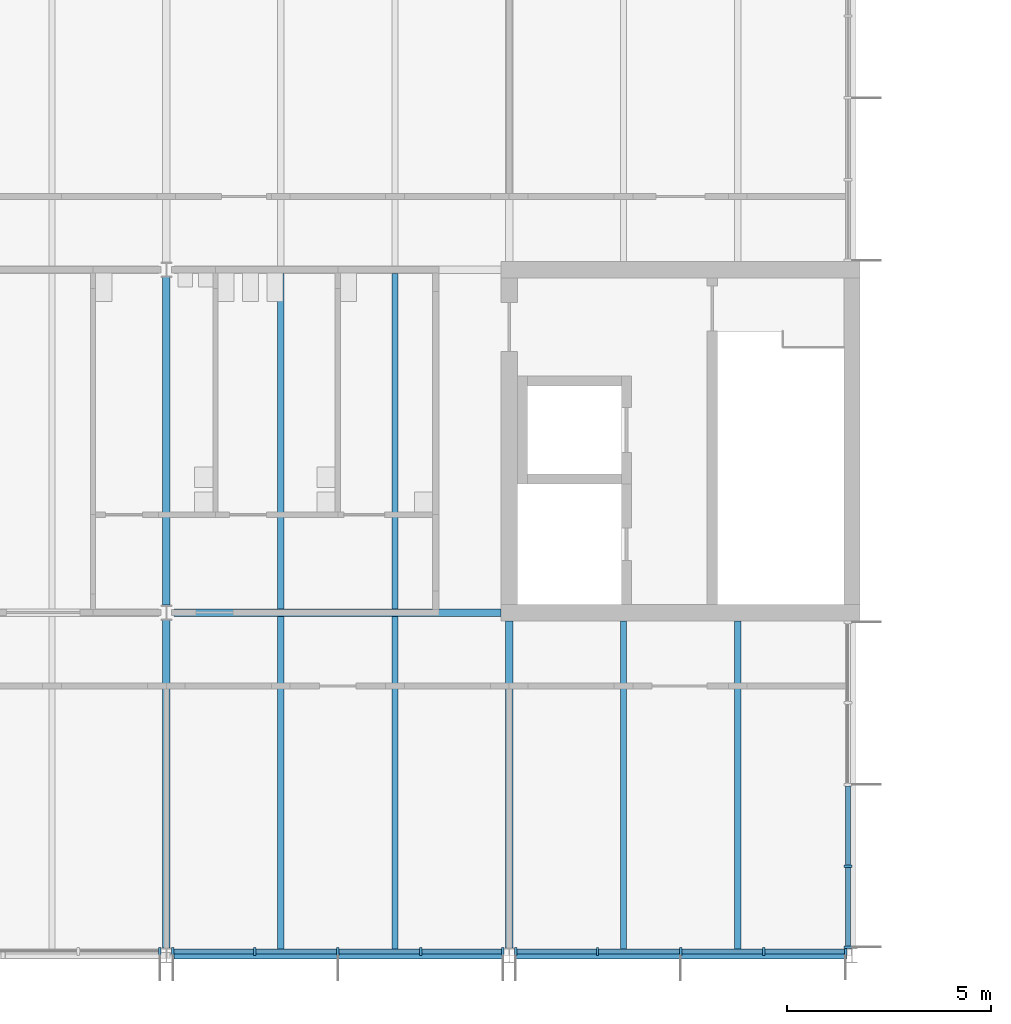
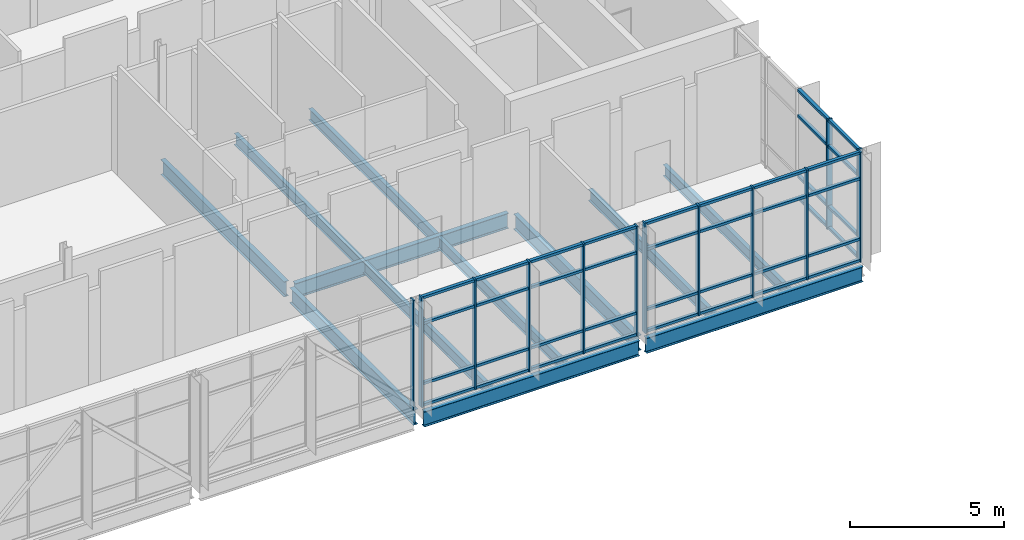
# One storey, part 14 of 72: 53 members, 12 beams, 4 elements without a shape of their own.
"""IFC4 building model written with IfcOpenShell, lengths in metres."""

from ifc_helpers import new_model, si_unit, direction, frame, origin, origin_2d, place, context, subcontext, project, spatial, rectangle, i_section, extrude, material, material_profile, profile_set, type_object, element, aggregate, save


model = new_model("IFC4")

# Units and contexts
model_context = context("Model", 3, precision=1e-05, world=origin(), true_north=direction((0.0, 1.0)))
body_context = subcontext(model_context, "Body", "Model", "MODEL_VIEW")
ifc_project = project(units=[si_unit("LENGTHUNIT", "METRE"), si_unit("AREAUNIT", "SQUARE_METRE"), si_unit("VOLUMEUNIT", "CUBIC_METRE"), si_unit("PLANEANGLEUNIT", "RADIAN"), si_unit("MASSUNIT", "GRAM", prefix="KILO")], contexts=[model_context])

# Site, building, storey
site_placement = place(None, origin())
site = spatial("IfcSite", under=ifc_project, at=site_placement, CompositionType="ELEMENT")
building_placement = place(site_placement, origin())
building = spatial("IfcBuilding", under=site, at=building_placement, Name="Hlaing Beacon Police Headquarters", CompositionType="ELEMENT")
storey_placement = place(building_placement, frame((0.0, 0.0, 14.39990234375)))
storey = spatial("IfcBuildingStorey", under=building, at=storey_placement, Name="L03", CompositionType="ELEMENT", Elevation=14.39990234375)

# Beams
ifc_material_1 = material(Name="Steel ASTM A992 Grade 50", Category="steel")
ifc_material_profile_1 = material_profile(ifc_material_1, i_section(OverallWidth=0.177978515625, OverallDepth=0.599365234375, WebThickness=0.010009765625, FlangeThickness=0.012939453125, FilletRadius=0.012939453125, at=origin_2d()), Name="W24x55")
ifc_profile_set_1 = profile_set([ifc_material_profile_1], Name="Steel ASTM A992 Grade 50")
beam_type_1 = type_object("IfcBeamType", Name="Girder W24x55", PredefinedType="BEAM", material=ifc_profile_set_1)
beam_1_placement = place(storey_placement, frame((42.18505859375, 8.39990234375, -0.4296875), z_axis=(1.0, 0.0, 0.0), x_axis=(0.0, 1.0, 0.0)))
element("IfcBeam", 1, at=beam_1_placement, inside=storey, type_object=beam_type_1, Name="STR-BM-L03-GX-F2-G2", PredefinedType="BEAM", context=body_context, shape_type="SweptSolid", body=[
    extrude(i_section(OverallWidth=0.177978515625, OverallDepth=0.599365234375, WebThickness=0.010009765625, FlangeThickness=0.012939453125, FilletRadius=0.012939453125, at=origin_2d()), origin(), (0.0, 0.0, 1.0), 8.0869140625),
])
beam_2_placement = place(storey_placement, frame((50.528076171875, 8.39990234375, -0.4296875), z_axis=(1.0, 0.0, 0.0), x_axis=(0.0, 1.0, 0.0)))
element("IfcBeam", 2, at=beam_2_placement, inside=storey, type_object=beam_type_1, Name="STR-BM-L03-GX-G2-H2", PredefinedType="BEAM", context=body_context, shape_type="SweptSolid", body=[
    extrude(i_section(OverallWidth=0.177978515625, OverallDepth=0.599365234375, WebThickness=0.010009765625, FlangeThickness=0.012939453125, FilletRadius=0.012939453125, at=origin_2d()), origin(), (0.0, 0.0, 1.0), 8.14501953125),
])
beam_3_placement = place(storey_placement, frame((42.18505859375, 16.800048828125, -0.4296875), z_axis=(1.0, 0.0, 0.0), x_axis=(0.0, 1.0, 0.0)))
element("IfcBeam", 3, at=beam_3_placement, inside=storey, type_object=beam_type_1, Name="STR-BM-L03-GX-F3-G3", PredefinedType="BEAM", context=body_context, shape_type="SweptSolid", body=[
    extrude(i_section(OverallWidth=0.177978515625, OverallDepth=0.599365234375, WebThickness=0.010009765625, FlangeThickness=0.012939453125, FilletRadius=0.012939453125, at=origin_2d()), origin(), (0.0, 0.0, 1.0), 8.014892578125),
])
beam_4_placement = place(storey_placement, frame((42.0, 8.580078125, -0.4296875), z_axis=(0.0, 1.0, 0.0), x_axis=(-1.0, 0.0, 0.0)))
element("IfcBeam", 4, at=beam_4_placement, inside=storey, type_object=beam_type_1, Name="STR-BM-L03-GY-F2-F3", PredefinedType="BEAM", context=body_context, shape_type="SweptSolid", body=[
    extrude(i_section(OverallWidth=0.177978515625, OverallDepth=0.599365234375, WebThickness=0.010009765625, FlangeThickness=0.012939453125, FilletRadius=0.012939453125, at=origin_2d()), origin(), (0.0, 0.0, 1.0), 8.037841796875),
])
beam_5_placement = place(storey_placement, frame((42.0, 16.98193359375, -0.4296875), z_axis=(0.0, 1.0, 0.0), x_axis=(-1.0, 0.0, 0.0)))
element("IfcBeam", 5, at=beam_5_placement, inside=storey, type_object=beam_type_1, Name="STR-BM-L03-GY-F3-F4", PredefinedType="BEAM", context=body_context, shape_type="SweptSolid", body=[
    extrude(i_section(OverallWidth=0.177978515625, OverallDepth=0.599365234375, WebThickness=0.010009765625, FlangeThickness=0.012939453125, FilletRadius=0.012939453125, at=origin_2d()), origin(), (0.0, 0.0, 1.0), 8.0361328125),
])
beam_6_placement = place(storey_placement, frame((50.39990234375, 8.580078125, -0.4296875), z_axis=(0.0, 1.0, 0.0), x_axis=(-1.0, 0.0, 0.0)))
element("IfcBeam", 6, at=beam_6_placement, inside=storey, type_object=beam_type_1, Name="STR-BM-L03-GY-G2-G3", PredefinedType="BEAM", context=body_context, shape_type="SweptSolid", body=[
    extrude(i_section(OverallWidth=0.177978515625, OverallDepth=0.599365234375, WebThickness=0.010009765625, FlangeThickness=0.012939453125, FilletRadius=0.012939453125, at=origin_2d()), origin(), (0.0, 0.0, 1.0), 8.02001953125),
])

# Curtain wall, members
ifc_material_2 = material(Name="Aluminium frame with solar control glazing", Category="aluminium")
curtain_wall_type_1 = type_object("IfcCurtainWallType", Name="Unitised curtain wall 8.02 x 4.37", PredefinedType="NOTDEFINED", material=ifc_material_2)
curtain_wall_1_placement = place(storey_placement, origin())
curtain_wall_1 = element("IfcCurtainWall", 7, at=curtain_wall_1_placement, inside=storey, type_object=curtain_wall_type_1, Name="ENV-CW-L03-E013", PredefinedType="NOTDEFINED")
ifc_material_3 = material(Name="Aluminium", Category="aluminium")
ifc_material_profile_2 = material_profile(ifc_material_3, rectangle(XDim=0.199951171875, YDim=0.06005859375, at=origin_2d()), Name="Mullion 60x200")
ifc_profile_set_2 = profile_set([ifc_material_profile_2], Name="Aluminium")
member_type_1 = type_object("IfcMemberType", Name="Mullion 60x200", PredefinedType="MULLION", material=ifc_profile_set_2)
member_1_placement = place(storey_placement, frame((58.699951171875, 8.6064453125, 0.0), z_axis=(0.0, 0.0, 1.0), x_axis=(-1.0, 0.0, 0.0)))
member_1 = element("IfcMember", 8, at=member_1_placement, type_object=member_type_1, Name="CW-L03-E013 mullion 1", PredefinedType="MULLION", context=body_context, shape_type="SweptSolid", body=[
    extrude(rectangle(XDim=0.199951171875, YDim=0.06005859375, at=origin_2d()), origin(), (0.0, 0.0, 1.0), 4.3701171875),
])
member_2_placement = place(storey_placement, frame((58.699951171875, 10.582275390625, 0.0), z_axis=(0.0, 0.0, 1.0), x_axis=(-1.0, 0.0, 0.0)))
member_2 = element("IfcMember", 9, at=member_2_placement, type_object=member_type_1, Name="CW-L03-E013 mullion 2", PredefinedType="MULLION", context=body_context, shape_type="SweptSolid", body=[
    extrude(rectangle(XDim=0.199951171875, YDim=0.06005859375, at=origin_2d()), origin(), (0.0, 0.0, 1.0), 4.3701171875),
])

# Curtain wall, member
ifc_material_4 = material(Name="Aluminium frame with solar control glazing", Category="aluminium")
curtain_wall_type_2 = type_object("IfcCurtainWallType", Name="Unitised curtain wall 8.14 x 4.37", PredefinedType="NOTDEFINED", material=ifc_material_4)
curtain_wall_2_placement = place(storey_placement, origin())
curtain_wall_2 = element("IfcCurtainWall", 10, at=curtain_wall_2_placement, inside=storey, type_object=curtain_wall_type_2, Name="ENV-CW-L03-S018", PredefinedType="NOTDEFINED")
member_3_placement = place(storey_placement, frame((41.841796875, 8.5, 0.0), z_axis=(0.0, 0.0, 1.0), x_axis=(0.0, 1.0, 0.0)))
member_3 = element("IfcMember", 11, at=member_3_placement, type_object=member_type_1, Name="CW-L03-S018 mullion 5", PredefinedType="MULLION", context=body_context, shape_type="SweptSolid", body=[
    extrude(rectangle(XDim=0.199951171875, YDim=0.06005859375, at=origin_2d()), origin(), (0.0, 0.0, 1.0), 4.3701171875),
])
aggregate(curtain_wall_2, [member_3])

# Curtain wall, members
curtain_wall_3_placement = place(storey_placement, origin())
curtain_wall_3 = element("IfcCurtainWall", 12, at=curtain_wall_3_placement, inside=storey, type_object=curtain_wall_type_2, Name="ENV-CW-L03-S019", PredefinedType="NOTDEFINED")
member_4_placement = place(storey_placement, frame((42.158203125, 8.5, 0.0), z_axis=(0.0, 0.0, 1.0), x_axis=(0.0, 1.0, 0.0)))
member_4 = element("IfcMember", 13, at=member_4_placement, type_object=member_type_1, Name="CW-L03-S019 mullion 1", PredefinedType="MULLION", context=body_context, shape_type="SweptSolid", body=[
    extrude(rectangle(XDim=0.199951171875, YDim=0.06005859375, at=origin_2d()), origin(), (0.0, 0.0, 1.0), 4.3701171875),
])
member_5_placement = place(storey_placement, frame((44.16455078125, 8.5, 0.0), z_axis=(0.0, 0.0, 1.0), x_axis=(0.0, 1.0, 0.0)))
member_5 = element("IfcMember", 14, at=member_5_placement, type_object=member_type_1, Name="CW-L03-S019 mullion 2", PredefinedType="MULLION", context=body_context, shape_type="SweptSolid", body=[
    extrude(rectangle(XDim=0.199951171875, YDim=0.06005859375, at=origin_2d()), origin(), (0.0, 0.0, 1.0), 4.3701171875),
])
member_6_placement = place(storey_placement, frame((46.20068359375, 8.5, 0.0), z_axis=(0.0, 0.0, 1.0), x_axis=(0.0, 1.0, 0.0)))
member_6 = element("IfcMember", 15, at=member_6_placement, type_object=member_type_1, Name="CW-L03-S019 mullion 3", PredefinedType="MULLION", context=body_context, shape_type="SweptSolid", body=[
    extrude(rectangle(XDim=0.199951171875, YDim=0.06005859375, at=origin_2d()), origin(), (0.0, 0.0, 1.0), 4.3701171875),
])
member_7_placement = place(storey_placement, frame((48.23681640625, 8.5, 0.0), z_axis=(0.0, 0.0, 1.0), x_axis=(0.0, 1.0, 0.0)))
member_7 = element("IfcMember", 16, at=member_7_placement, type_object=member_type_1, Name="CW-L03-S019 mullion 4", PredefinedType="MULLION", context=body_context, shape_type="SweptSolid", body=[
    extrude(rectangle(XDim=0.199951171875, YDim=0.06005859375, at=origin_2d()), origin(), (0.0, 0.0, 1.0), 4.3701171875),
])
member_8_placement = place(storey_placement, frame((50.242919921875, 8.5, 0.0), z_axis=(0.0, 0.0, 1.0), x_axis=(0.0, 1.0, 0.0)))
member_8 = element("IfcMember", 17, at=member_8_placement, type_object=member_type_1, Name="CW-L03-S019 mullion 5", PredefinedType="MULLION", context=body_context, shape_type="SweptSolid", body=[
    extrude(rectangle(XDim=0.199951171875, YDim=0.06005859375, at=origin_2d()), origin(), (0.0, 0.0, 1.0), 4.3701171875),
])

ifc_material_5 = material(Name="Aluminium frame with solar control glazing", Category="aluminium")
curtain_wall_type_3 = type_object("IfcCurtainWallType", Name="Unitised curtain wall 8.15 x 4.37", PredefinedType="NOTDEFINED", material=ifc_material_5)
curtain_wall_4_placement = place(storey_placement, origin())
curtain_wall_4 = element("IfcCurtainWall", 18, at=curtain_wall_4_placement, inside=storey, type_object=curtain_wall_type_3, Name="ENV-CW-L03-S020", PredefinedType="NOTDEFINED")
member_9_placement = place(storey_placement, frame((50.556884765625, 8.5, 0.0), z_axis=(0.0, 0.0, 1.0), x_axis=(0.0, 1.0, 0.0)))
member_9 = element("IfcMember", 19, at=member_9_placement, type_object=member_type_1, Name="CW-L03-S020 mullion 1", PredefinedType="MULLION", context=body_context, shape_type="SweptSolid", body=[
    extrude(rectangle(XDim=0.199951171875, YDim=0.06005859375, at=origin_2d()), origin(), (0.0, 0.0, 1.0), 4.3701171875),
])
member_10_placement = place(storey_placement, frame((52.5634765625, 8.5, 0.0), z_axis=(0.0, 0.0, 1.0), x_axis=(0.0, 1.0, 0.0)))
member_10 = element("IfcMember", 20, at=member_10_placement, type_object=member_type_1, Name="CW-L03-S020 mullion 2", PredefinedType="MULLION", context=body_context, shape_type="SweptSolid", body=[
    extrude(rectangle(XDim=0.199951171875, YDim=0.06005859375, at=origin_2d()), origin(), (0.0, 0.0, 1.0), 4.3701171875),
])
member_11_placement = place(storey_placement, frame((54.60009765625, 8.5, 0.0), z_axis=(0.0, 0.0, 1.0), x_axis=(0.0, 1.0, 0.0)))
member_11 = element("IfcMember", 21, at=member_11_placement, type_object=member_type_1, Name="CW-L03-S020 mullion 3", PredefinedType="MULLION", context=body_context, shape_type="SweptSolid", body=[
    extrude(rectangle(XDim=0.199951171875, YDim=0.06005859375, at=origin_2d()), origin(), (0.0, 0.0, 1.0), 4.3701171875),
])
member_12_placement = place(storey_placement, frame((56.636474609375, 8.5, 0.0), z_axis=(0.0, 0.0, 1.0), x_axis=(0.0, 1.0, 0.0)))
member_12 = element("IfcMember", 22, at=member_12_placement, type_object=member_type_1, Name="CW-L03-S020 mullion 4", PredefinedType="MULLION", context=body_context, shape_type="SweptSolid", body=[
    extrude(rectangle(XDim=0.199951171875, YDim=0.06005859375, at=origin_2d()), origin(), (0.0, 0.0, 1.0), 4.3701171875),
])
member_13_placement = place(storey_placement, frame((58.64306640625, 8.5, 0.0), z_axis=(0.0, 0.0, 1.0), x_axis=(0.0, 1.0, 0.0)))
member_13 = element("IfcMember", 23, at=member_13_placement, type_object=member_type_1, Name="CW-L03-S020 mullion 5", PredefinedType="MULLION", context=body_context, shape_type="SweptSolid", body=[
    extrude(rectangle(XDim=0.199951171875, YDim=0.06005859375, at=origin_2d()), origin(), (0.0, 0.0, 1.0), 4.3701171875),
])

# Beams
ifc_material_6 = material(Name="Steel ASTM A992 Grade 50", Category="steel")
ifc_material_profile_3 = material_profile(ifc_material_6, i_section(OverallWidth=0.15234375, OverallDepth=0.449462890625, WebThickness=0.007568359375, FlangeThickness=0.0107421875, FilletRadius=0.01025390625, at=origin_2d()), Name="W18x35")
ifc_profile_set_3 = profile_set([ifc_material_profile_3], Name="Steel ASTM A992 Grade 50")
beam_type_2 = type_object("IfcBeamType", Name="Secondary beam W18x35", PredefinedType="BEAM", material=ifc_profile_set_3)
for number, where, z_axis, x_axis, name in (
    (24, (44.800048828125, 8.489013671875, -0.354736328125), (0.0, 1.0, 0.0), (-1.0, 0.0, 0.0), "STR-BM-L03-SB-F2-y1"),
    (25, (47.60009765625, 8.489013671875, -0.354736328125), (0.0, 1.0, 0.0), (-1.0, 0.0, 0.0), "STR-BM-L03-SB-F2-y2"),
):
    element("IfcBeam", number, at=place(storey_placement, frame(where, z_axis=z_axis, x_axis=x_axis)), inside=storey, type_object=beam_type_2, Name=name, PredefinedType="BEAM", context=body_context, shape_type="SweptSolid", body=[
        extrude(i_section(OverallWidth=0.15234375, OverallDepth=0.449462890625, WebThickness=0.007568359375, FlangeThickness=0.0107421875, FilletRadius=0.01025390625, at=origin_2d()), origin(), (0.0, 0.0, 1.0), 8.221923828125),
    ])
for number, where, z_axis, x_axis, name in (
    (26, (44.800048828125, 16.888916015625, -0.354736328125), (0.0, 1.0, 0.0), (-1.0, 0.0, 0.0), "STR-BM-L03-SB-F3-y1"),
    (27, (47.60009765625, 16.888916015625, -0.354736328125), (0.0, 1.0, 0.0), (-1.0, 0.0, 0.0), "STR-BM-L03-SB-F3-y2"),
):
    element("IfcBeam", number, at=place(storey_placement, frame(where, z_axis=z_axis, x_axis=x_axis)), inside=storey, type_object=beam_type_2, Name=name, PredefinedType="BEAM", context=body_context, shape_type="SweptSolid", body=[
        extrude(i_section(OverallWidth=0.15234375, OverallDepth=0.449462890625, WebThickness=0.007568359375, FlangeThickness=0.0107421875, FilletRadius=0.01025390625, at=origin_2d()), origin(), (0.0, 0.0, 1.0), 8.22216796875),
    ])
for number, where, z_axis, x_axis, name in (
    (28, (53.199951171875, 8.489013671875, -0.354736328125), (0.0, 1.0, 0.0), (-1.0, 0.0, 0.0), "STR-BM-L03-SB-G2-y1"),
    (29, (56.0, 8.489013671875, -0.354736328125), (0.0, 1.0, 0.0), (-1.0, 0.0, 0.0), "STR-BM-L03-SB-G2-y2"),
):
    element("IfcBeam", number, at=place(storey_placement, frame(where, z_axis=z_axis, x_axis=x_axis)), inside=storey, type_object=beam_type_2, Name=name, PredefinedType="BEAM", context=body_context, shape_type="SweptSolid", body=[
        extrude(i_section(OverallWidth=0.15234375, OverallDepth=0.449462890625, WebThickness=0.007568359375, FlangeThickness=0.0107421875, FilletRadius=0.01025390625, at=origin_2d()), origin(), (0.0, 0.0, 1.0), 8.111083984375),
    ])

# Member
ifc_material_7 = material(Name="Aluminium", Category="aluminium")
ifc_material_profile_4 = material_profile(ifc_material_7, rectangle(XDim=0.1201171875, YDim=0.10009765625, at=origin_2d()), Name="Transom 120x100")
ifc_profile_set_4 = profile_set([ifc_material_profile_4], Name="Aluminium")
member_type_2 = type_object("IfcMemberType", Name="Transom 120x100", PredefinedType="USERDEFINED", material=ifc_profile_set_4)
member_14_placement = place(storey_placement, frame((58.699951171875, 8.636474609375, 0.050048828125), z_axis=(0.0, 1.0, 0.0), x_axis=(-1.0, 0.0, 0.0)))
member_14 = element("IfcMember", 30, at=member_14_placement, type_object=member_type_2, Name="CW-L03-E013 transom 1.1", ObjectType="TRANSOM", PredefinedType="USERDEFINED", context=body_context, shape_type="SweptSolid", body=[
    extrude(rectangle(XDim=0.1201171875, YDim=0.10009765625, at=origin_2d()), origin(), (0.0, 0.0, 1.0), 1.916015625),
])

member_15_placement = place(storey_placement, frame((58.699951171875, 8.636474609375, 0.900146484375), z_axis=(0.0, 1.0, 0.0), x_axis=(-1.0, 0.0, 0.0)))
member_15 = element("IfcMember", 31, at=member_15_placement, type_object=member_type_2, Name="CW-L03-E013 transom 1.2", ObjectType="TRANSOM", PredefinedType="USERDEFINED", context=body_context, shape_type="SweptSolid", body=[
    extrude(rectangle(XDim=0.1201171875, YDim=0.10009765625, at=origin_2d()), origin(), (0.0, 0.0, 1.0), 1.916015625),
])

member_16_placement = place(storey_placement, frame((58.699951171875, 8.636474609375, 3.300048828125), z_axis=(0.0, 1.0, 0.0), x_axis=(-1.0, 0.0, 0.0)))
member_16 = element("IfcMember", 32, at=member_16_placement, type_object=member_type_2, Name="CW-L03-E013 transom 1.3", ObjectType="TRANSOM", PredefinedType="USERDEFINED", context=body_context, shape_type="SweptSolid", body=[
    extrude(rectangle(XDim=0.1201171875, YDim=0.10009765625, at=origin_2d()), origin(), (0.0, 0.0, 1.0), 1.916015625),
])

member_17_placement = place(storey_placement, frame((58.699951171875, 8.636474609375, 4.320068359375), z_axis=(0.0, 1.0, 0.0), x_axis=(-1.0, 0.0, 0.0)))
member_17 = element("IfcMember", 33, at=member_17_placement, type_object=member_type_2, Name="CW-L03-E013 transom 1.4", ObjectType="TRANSOM", PredefinedType="USERDEFINED", context=body_context, shape_type="SweptSolid", body=[
    extrude(rectangle(XDim=0.1201171875, YDim=0.10009765625, at=origin_2d()), origin(), (0.0, 0.0, 1.0), 1.916015625),
])

member_18_placement = place(storey_placement, frame((58.699951171875, 10.6123046875, 0.050048828125), z_axis=(0.0, 1.0, 0.0), x_axis=(-1.0, 0.0, 0.0)))
member_18 = element("IfcMember", 34, at=member_18_placement, type_object=member_type_2, Name="CW-L03-E013 transom 2.1", ObjectType="TRANSOM", PredefinedType="USERDEFINED", context=body_context, shape_type="SweptSolid", body=[
    extrude(rectangle(XDim=0.1201171875, YDim=0.10009765625, at=origin_2d()), origin(), (0.0, 0.0, 1.0), 1.946044921875),
])

member_19_placement = place(storey_placement, frame((58.699951171875, 10.6123046875, 0.900146484375), z_axis=(0.0, 1.0, 0.0), x_axis=(-1.0, 0.0, 0.0)))
member_19 = element("IfcMember", 35, at=member_19_placement, type_object=member_type_2, Name="CW-L03-E013 transom 2.2", ObjectType="TRANSOM", PredefinedType="USERDEFINED", context=body_context, shape_type="SweptSolid", body=[
    extrude(rectangle(XDim=0.1201171875, YDim=0.10009765625, at=origin_2d()), origin(), (0.0, 0.0, 1.0), 1.946044921875),
])

member_20_placement = place(storey_placement, frame((58.699951171875, 10.6123046875, 3.300048828125), z_axis=(0.0, 1.0, 0.0), x_axis=(-1.0, 0.0, 0.0)))
member_20 = element("IfcMember", 36, at=member_20_placement, type_object=member_type_2, Name="CW-L03-E013 transom 2.3", ObjectType="TRANSOM", PredefinedType="USERDEFINED", context=body_context, shape_type="SweptSolid", body=[
    extrude(rectangle(XDim=0.1201171875, YDim=0.10009765625, at=origin_2d()), origin(), (0.0, 0.0, 1.0), 1.946044921875),
])

member_21_placement = place(storey_placement, frame((58.699951171875, 10.6123046875, 4.320068359375), z_axis=(0.0, 1.0, 0.0), x_axis=(-1.0, 0.0, 0.0)))
member_21 = element("IfcMember", 37, at=member_21_placement, type_object=member_type_2, Name="CW-L03-E013 transom 2.4", ObjectType="TRANSOM", PredefinedType="USERDEFINED", context=body_context, shape_type="SweptSolid", body=[
    extrude(rectangle(XDim=0.1201171875, YDim=0.10009765625, at=origin_2d()), origin(), (0.0, 0.0, 1.0), 1.946044921875),
])

aggregate(curtain_wall_1, [member_1, member_2, member_14, member_15, member_16, member_17, member_18, member_19, member_20, member_21])

member_22_placement = place(storey_placement, frame((42.188232421875, 8.5, 0.050048828125), z_axis=(1.0, 0.0, 0.0), x_axis=(0.0, 1.0, 0.0)))
member_22 = element("IfcMember", 38, at=member_22_placement, type_object=member_type_2, Name="CW-L03-S019 transom 1.1", ObjectType="TRANSOM", PredefinedType="USERDEFINED", context=body_context, shape_type="SweptSolid", body=[
    extrude(rectangle(XDim=0.1201171875, YDim=0.10009765625, at=origin_2d()), origin(), (0.0, 0.0, 1.0), 1.9462890625),
])

member_23_placement = place(storey_placement, frame((42.188232421875, 8.5, 0.900146484375), z_axis=(1.0, 0.0, 0.0), x_axis=(0.0, 1.0, 0.0)))
member_23 = element("IfcMember", 39, at=member_23_placement, type_object=member_type_2, Name="CW-L03-S019 transom 1.2", ObjectType="TRANSOM", PredefinedType="USERDEFINED", context=body_context, shape_type="SweptSolid", body=[
    extrude(rectangle(XDim=0.1201171875, YDim=0.10009765625, at=origin_2d()), origin(), (0.0, 0.0, 1.0), 1.9462890625),
])

member_24_placement = place(storey_placement, frame((42.188232421875, 8.5, 3.300048828125), z_axis=(1.0, 0.0, 0.0), x_axis=(0.0, 1.0, 0.0)))
member_24 = element("IfcMember", 40, at=member_24_placement, type_object=member_type_2, Name="CW-L03-S019 transom 1.3", ObjectType="TRANSOM", PredefinedType="USERDEFINED", context=body_context, shape_type="SweptSolid", body=[
    extrude(rectangle(XDim=0.1201171875, YDim=0.10009765625, at=origin_2d()), origin(), (0.0, 0.0, 1.0), 1.9462890625),
])

member_25_placement = place(storey_placement, frame((42.188232421875, 8.5, 4.320068359375), z_axis=(1.0, 0.0, 0.0), x_axis=(0.0, 1.0, 0.0)))
member_25 = element("IfcMember", 41, at=member_25_placement, type_object=member_type_2, Name="CW-L03-S019 transom 1.4", ObjectType="TRANSOM", PredefinedType="USERDEFINED", context=body_context, shape_type="SweptSolid", body=[
    extrude(rectangle(XDim=0.1201171875, YDim=0.10009765625, at=origin_2d()), origin(), (0.0, 0.0, 1.0), 1.9462890625),
])

member_26_placement = place(storey_placement, frame((44.194580078125, 8.5, 0.050048828125), z_axis=(1.0, 0.0, 0.0), x_axis=(0.0, 1.0, 0.0)))
member_26 = element("IfcMember", 42, at=member_26_placement, type_object=member_type_2, Name="CW-L03-S019 transom 2.1", ObjectType="TRANSOM", PredefinedType="USERDEFINED", context=body_context, shape_type="SweptSolid", body=[
    extrude(rectangle(XDim=0.1201171875, YDim=0.10009765625, at=origin_2d()), origin(), (0.0, 0.0, 1.0), 1.97607421875),
])

member_27_placement = place(storey_placement, frame((44.194580078125, 8.5, 0.900146484375), z_axis=(1.0, 0.0, 0.0), x_axis=(0.0, 1.0, 0.0)))
member_27 = element("IfcMember", 43, at=member_27_placement, type_object=member_type_2, Name="CW-L03-S019 transom 2.2", ObjectType="TRANSOM", PredefinedType="USERDEFINED", context=body_context, shape_type="SweptSolid", body=[
    extrude(rectangle(XDim=0.1201171875, YDim=0.10009765625, at=origin_2d()), origin(), (0.0, 0.0, 1.0), 1.97607421875),
])

member_28_placement = place(storey_placement, frame((44.194580078125, 8.5, 3.300048828125), z_axis=(1.0, 0.0, 0.0), x_axis=(0.0, 1.0, 0.0)))
member_28 = element("IfcMember", 44, at=member_28_placement, type_object=member_type_2, Name="CW-L03-S019 transom 2.3", ObjectType="TRANSOM", PredefinedType="USERDEFINED", context=body_context, shape_type="SweptSolid", body=[
    extrude(rectangle(XDim=0.1201171875, YDim=0.10009765625, at=origin_2d()), origin(), (0.0, 0.0, 1.0), 1.97607421875),
])

member_29_placement = place(storey_placement, frame((44.194580078125, 8.5, 4.320068359375), z_axis=(1.0, 0.0, 0.0), x_axis=(0.0, 1.0, 0.0)))
member_29 = element("IfcMember", 45, at=member_29_placement, type_object=member_type_2, Name="CW-L03-S019 transom 2.4", ObjectType="TRANSOM", PredefinedType="USERDEFINED", context=body_context, shape_type="SweptSolid", body=[
    extrude(rectangle(XDim=0.1201171875, YDim=0.10009765625, at=origin_2d()), origin(), (0.0, 0.0, 1.0), 1.97607421875),
])

member_30_placement = place(storey_placement, frame((46.230712890625, 8.5, 0.050048828125), z_axis=(1.0, 0.0, 0.0), x_axis=(0.0, 1.0, 0.0)))
member_30 = element("IfcMember", 46, at=member_30_placement, type_object=member_type_2, Name="CW-L03-S019 transom 3.1", ObjectType="TRANSOM", PredefinedType="USERDEFINED", context=body_context, shape_type="SweptSolid", body=[
    extrude(rectangle(XDim=0.1201171875, YDim=0.10009765625, at=origin_2d()), origin(), (0.0, 0.0, 1.0), 1.97607421875),
])

member_31_placement = place(storey_placement, frame((46.230712890625, 8.5, 0.900146484375), z_axis=(1.0, 0.0, 0.0), x_axis=(0.0, 1.0, 0.0)))
member_31 = element("IfcMember", 47, at=member_31_placement, type_object=member_type_2, Name="CW-L03-S019 transom 3.2", ObjectType="TRANSOM", PredefinedType="USERDEFINED", context=body_context, shape_type="SweptSolid", body=[
    extrude(rectangle(XDim=0.1201171875, YDim=0.10009765625, at=origin_2d()), origin(), (0.0, 0.0, 1.0), 1.97607421875),
])

member_32_placement = place(storey_placement, frame((46.230712890625, 8.5, 3.300048828125), z_axis=(1.0, 0.0, 0.0), x_axis=(0.0, 1.0, 0.0)))
member_32 = element("IfcMember", 48, at=member_32_placement, type_object=member_type_2, Name="CW-L03-S019 transom 3.3", ObjectType="TRANSOM", PredefinedType="USERDEFINED", context=body_context, shape_type="SweptSolid", body=[
    extrude(rectangle(XDim=0.1201171875, YDim=0.10009765625, at=origin_2d()), origin(), (0.0, 0.0, 1.0), 1.97607421875),
])

member_33_placement = place(storey_placement, frame((46.230712890625, 8.5, 4.320068359375), z_axis=(1.0, 0.0, 0.0), x_axis=(0.0, 1.0, 0.0)))
member_33 = element("IfcMember", 49, at=member_33_placement, type_object=member_type_2, Name="CW-L03-S019 transom 3.4", ObjectType="TRANSOM", PredefinedType="USERDEFINED", context=body_context, shape_type="SweptSolid", body=[
    extrude(rectangle(XDim=0.1201171875, YDim=0.10009765625, at=origin_2d()), origin(), (0.0, 0.0, 1.0), 1.97607421875),
])

member_34_placement = place(storey_placement, frame((48.266845703125, 8.5, 0.050048828125), z_axis=(1.0, 0.0, 0.0), x_axis=(0.0, 1.0, 0.0)))
member_34 = element("IfcMember", 50, at=member_34_placement, type_object=member_type_2, Name="CW-L03-S019 transom 4.1", ObjectType="TRANSOM", PredefinedType="USERDEFINED", context=body_context, shape_type="SweptSolid", body=[
    extrude(rectangle(XDim=0.1201171875, YDim=0.10009765625, at=origin_2d()), origin(), (0.0, 0.0, 1.0), 1.946044921875),
])

member_35_placement = place(storey_placement, frame((48.266845703125, 8.5, 0.900146484375), z_axis=(1.0, 0.0, 0.0), x_axis=(0.0, 1.0, 0.0)))
member_35 = element("IfcMember", 51, at=member_35_placement, type_object=member_type_2, Name="CW-L03-S019 transom 4.2", ObjectType="TRANSOM", PredefinedType="USERDEFINED", context=body_context, shape_type="SweptSolid", body=[
    extrude(rectangle(XDim=0.1201171875, YDim=0.10009765625, at=origin_2d()), origin(), (0.0, 0.0, 1.0), 1.946044921875),
])

member_36_placement = place(storey_placement, frame((48.266845703125, 8.5, 3.300048828125), z_axis=(1.0, 0.0, 0.0), x_axis=(0.0, 1.0, 0.0)))
member_36 = element("IfcMember", 52, at=member_36_placement, type_object=member_type_2, Name="CW-L03-S019 transom 4.3", ObjectType="TRANSOM", PredefinedType="USERDEFINED", context=body_context, shape_type="SweptSolid", body=[
    extrude(rectangle(XDim=0.1201171875, YDim=0.10009765625, at=origin_2d()), origin(), (0.0, 0.0, 1.0), 1.946044921875),
])

member_37_placement = place(storey_placement, frame((48.266845703125, 8.5, 4.320068359375), z_axis=(1.0, 0.0, 0.0), x_axis=(0.0, 1.0, 0.0)))
member_37 = element("IfcMember", 53, at=member_37_placement, type_object=member_type_2, Name="CW-L03-S019 transom 4.4", ObjectType="TRANSOM", PredefinedType="USERDEFINED", context=body_context, shape_type="SweptSolid", body=[
    extrude(rectangle(XDim=0.1201171875, YDim=0.10009765625, at=origin_2d()), origin(), (0.0, 0.0, 1.0), 1.946044921875),
])

aggregate(curtain_wall_3, [member_4, member_5, member_6, member_7, member_8, member_22, member_23, member_24, member_25, member_26, member_27, member_28, member_29, member_30, member_31, member_32, member_33, member_34, member_35, member_36, member_37])

member_38_placement = place(storey_placement, frame((50.5869140625, 8.5, 0.050048828125), z_axis=(1.0, 0.0, 0.0), x_axis=(0.0, 1.0, 0.0)))
member_38 = element("IfcMember", 54, at=member_38_placement, type_object=member_type_2, Name="CW-L03-S020 transom 1.1", ObjectType="TRANSOM", PredefinedType="USERDEFINED", context=body_context, shape_type="SweptSolid", body=[
    extrude(rectangle(XDim=0.1201171875, YDim=0.10009765625, at=origin_2d()), origin(), (0.0, 0.0, 1.0), 1.946533203125),
])

member_39_placement = place(storey_placement, frame((50.5869140625, 8.5, 0.900146484375), z_axis=(1.0, 0.0, 0.0), x_axis=(0.0, 1.0, 0.0)))
member_39 = element("IfcMember", 55, at=member_39_placement, type_object=member_type_2, Name="CW-L03-S020 transom 1.2", ObjectType="TRANSOM", PredefinedType="USERDEFINED", context=body_context, shape_type="SweptSolid", body=[
    extrude(rectangle(XDim=0.1201171875, YDim=0.10009765625, at=origin_2d()), origin(), (0.0, 0.0, 1.0), 1.946533203125),
])

member_40_placement = place(storey_placement, frame((50.5869140625, 8.5, 3.300048828125), z_axis=(1.0, 0.0, 0.0), x_axis=(0.0, 1.0, 0.0)))
member_40 = element("IfcMember", 56, at=member_40_placement, type_object=member_type_2, Name="CW-L03-S020 transom 1.3", ObjectType="TRANSOM", PredefinedType="USERDEFINED", context=body_context, shape_type="SweptSolid", body=[
    extrude(rectangle(XDim=0.1201171875, YDim=0.10009765625, at=origin_2d()), origin(), (0.0, 0.0, 1.0), 1.946533203125),
])

member_41_placement = place(storey_placement, frame((50.5869140625, 8.5, 4.320068359375), z_axis=(1.0, 0.0, 0.0), x_axis=(0.0, 1.0, 0.0)))
member_41 = element("IfcMember", 57, at=member_41_placement, type_object=member_type_2, Name="CW-L03-S020 transom 1.4", ObjectType="TRANSOM", PredefinedType="USERDEFINED", context=body_context, shape_type="SweptSolid", body=[
    extrude(rectangle(XDim=0.1201171875, YDim=0.10009765625, at=origin_2d()), origin(), (0.0, 0.0, 1.0), 1.946533203125),
])

member_42_placement = place(storey_placement, frame((52.593505859375, 8.5, 0.050048828125), z_axis=(1.0, 0.0, 0.0), x_axis=(0.0, 1.0, 0.0)))
member_42 = element("IfcMember", 58, at=member_42_placement, type_object=member_type_2, Name="CW-L03-S020 transom 2.1", ObjectType="TRANSOM", PredefinedType="USERDEFINED", context=body_context, shape_type="SweptSolid", body=[
    extrude(rectangle(XDim=0.1201171875, YDim=0.10009765625, at=origin_2d()), origin(), (0.0, 0.0, 1.0), 1.9765625),
])

member_43_placement = place(storey_placement, frame((52.593505859375, 8.5, 0.900146484375), z_axis=(1.0, 0.0, 0.0), x_axis=(0.0, 1.0, 0.0)))
member_43 = element("IfcMember", 59, at=member_43_placement, type_object=member_type_2, Name="CW-L03-S020 transom 2.2", ObjectType="TRANSOM", PredefinedType="USERDEFINED", context=body_context, shape_type="SweptSolid", body=[
    extrude(rectangle(XDim=0.1201171875, YDim=0.10009765625, at=origin_2d()), origin(), (0.0, 0.0, 1.0), 1.9765625),
])

member_44_placement = place(storey_placement, frame((52.593505859375, 8.5, 3.300048828125), z_axis=(1.0, 0.0, 0.0), x_axis=(0.0, 1.0, 0.0)))
member_44 = element("IfcMember", 60, at=member_44_placement, type_object=member_type_2, Name="CW-L03-S020 transom 2.3", ObjectType="TRANSOM", PredefinedType="USERDEFINED", context=body_context, shape_type="SweptSolid", body=[
    extrude(rectangle(XDim=0.1201171875, YDim=0.10009765625, at=origin_2d()), origin(), (0.0, 0.0, 1.0), 1.9765625),
])

member_45_placement = place(storey_placement, frame((52.593505859375, 8.5, 4.320068359375), z_axis=(1.0, 0.0, 0.0), x_axis=(0.0, 1.0, 0.0)))
member_45 = element("IfcMember", 61, at=member_45_placement, type_object=member_type_2, Name="CW-L03-S020 transom 2.4", ObjectType="TRANSOM", PredefinedType="USERDEFINED", context=body_context, shape_type="SweptSolid", body=[
    extrude(rectangle(XDim=0.1201171875, YDim=0.10009765625, at=origin_2d()), origin(), (0.0, 0.0, 1.0), 1.9765625),
])

member_46_placement = place(storey_placement, frame((54.6298828125, 8.5, 0.050048828125), z_axis=(1.0, 0.0, 0.0), x_axis=(0.0, 1.0, 0.0)))
member_46 = element("IfcMember", 62, at=member_46_placement, type_object=member_type_2, Name="CW-L03-S020 transom 3.1", ObjectType="TRANSOM", PredefinedType="USERDEFINED", context=body_context, shape_type="SweptSolid", body=[
    extrude(rectangle(XDim=0.1201171875, YDim=0.10009765625, at=origin_2d()), origin(), (0.0, 0.0, 1.0), 1.9765625),
])

member_47_placement = place(storey_placement, frame((54.6298828125, 8.5, 0.900146484375), z_axis=(1.0, 0.0, 0.0), x_axis=(0.0, 1.0, 0.0)))
member_47 = element("IfcMember", 63, at=member_47_placement, type_object=member_type_2, Name="CW-L03-S020 transom 3.2", ObjectType="TRANSOM", PredefinedType="USERDEFINED", context=body_context, shape_type="SweptSolid", body=[
    extrude(rectangle(XDim=0.1201171875, YDim=0.10009765625, at=origin_2d()), origin(), (0.0, 0.0, 1.0), 1.9765625),
])

member_48_placement = place(storey_placement, frame((54.6298828125, 8.5, 3.300048828125), z_axis=(1.0, 0.0, 0.0), x_axis=(0.0, 1.0, 0.0)))
member_48 = element("IfcMember", 64, at=member_48_placement, type_object=member_type_2, Name="CW-L03-S020 transom 3.3", ObjectType="TRANSOM", PredefinedType="USERDEFINED", context=body_context, shape_type="SweptSolid", body=[
    extrude(rectangle(XDim=0.1201171875, YDim=0.10009765625, at=origin_2d()), origin(), (0.0, 0.0, 1.0), 1.9765625),
])

member_49_placement = place(storey_placement, frame((54.6298828125, 8.5, 4.320068359375), z_axis=(1.0, 0.0, 0.0), x_axis=(0.0, 1.0, 0.0)))
member_49 = element("IfcMember", 65, at=member_49_placement, type_object=member_type_2, Name="CW-L03-S020 transom 3.4", ObjectType="TRANSOM", PredefinedType="USERDEFINED", context=body_context, shape_type="SweptSolid", body=[
    extrude(rectangle(XDim=0.1201171875, YDim=0.10009765625, at=origin_2d()), origin(), (0.0, 0.0, 1.0), 1.9765625),
])

member_50_placement = place(storey_placement, frame((56.66650390625, 8.5, 0.050048828125), z_axis=(1.0, 0.0, 0.0), x_axis=(0.0, 1.0, 0.0)))
member_50 = element("IfcMember", 66, at=member_50_placement, type_object=member_type_2, Name="CW-L03-S020 transom 4.1", ObjectType="TRANSOM", PredefinedType="USERDEFINED", context=body_context, shape_type="SweptSolid", body=[
    extrude(rectangle(XDim=0.1201171875, YDim=0.10009765625, at=origin_2d()), origin(), (0.0, 0.0, 1.0), 1.946533203125),
])

member_51_placement = place(storey_placement, frame((56.66650390625, 8.5, 0.900146484375), z_axis=(1.0, 0.0, 0.0), x_axis=(0.0, 1.0, 0.0)))
member_51 = element("IfcMember", 67, at=member_51_placement, type_object=member_type_2, Name="CW-L03-S020 transom 4.2", ObjectType="TRANSOM", PredefinedType="USERDEFINED", context=body_context, shape_type="SweptSolid", body=[
    extrude(rectangle(XDim=0.1201171875, YDim=0.10009765625, at=origin_2d()), origin(), (0.0, 0.0, 1.0), 1.946533203125),
])

member_52_placement = place(storey_placement, frame((56.66650390625, 8.5, 3.300048828125), z_axis=(1.0, 0.0, 0.0), x_axis=(0.0, 1.0, 0.0)))
member_52 = element("IfcMember", 68, at=member_52_placement, type_object=member_type_2, Name="CW-L03-S020 transom 4.3", ObjectType="TRANSOM", PredefinedType="USERDEFINED", context=body_context, shape_type="SweptSolid", body=[
    extrude(rectangle(XDim=0.1201171875, YDim=0.10009765625, at=origin_2d()), origin(), (0.0, 0.0, 1.0), 1.946533203125),
])

member_53_placement = place(storey_placement, frame((56.66650390625, 8.5, 4.320068359375), z_axis=(1.0, 0.0, 0.0), x_axis=(0.0, 1.0, 0.0)))
member_53 = element("IfcMember", 69, at=member_53_placement, type_object=member_type_2, Name="CW-L03-S020 transom 4.4", ObjectType="TRANSOM", PredefinedType="USERDEFINED", context=body_context, shape_type="SweptSolid", body=[
    extrude(rectangle(XDim=0.1201171875, YDim=0.10009765625, at=origin_2d()), origin(), (0.0, 0.0, 1.0), 1.946533203125),
])

aggregate(curtain_wall_4, [member_9, member_10, member_11, member_12, member_13, member_38, member_39, member_40, member_41, member_42, member_43, member_44, member_45, member_46, member_47, member_48, member_49, member_50, member_51, member_52, member_53])

save(model, "model.ifc")
